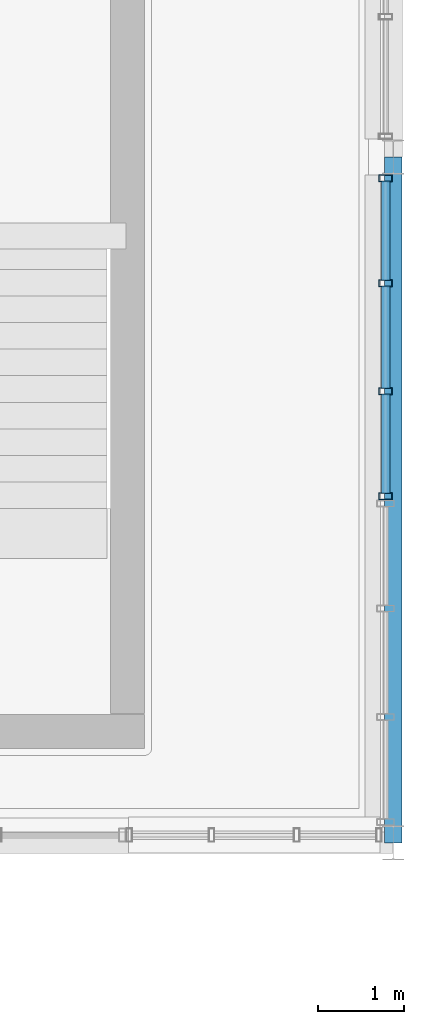
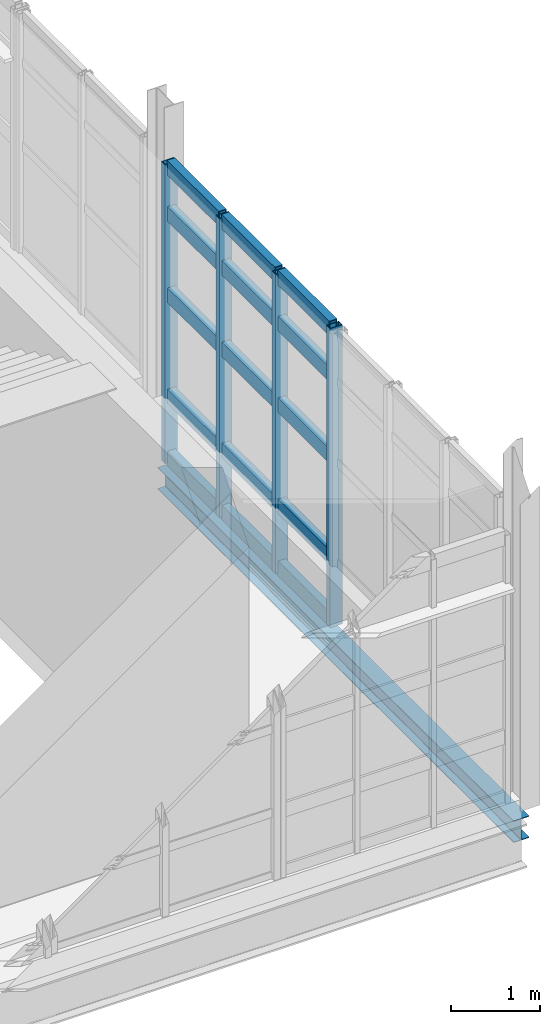
# One storey, part 51 of 100: 19 members, 1 beam, 1 element without a shape of its own.
"""IFC4 building model written with IfcOpenShell, lengths in metres."""

import ifcopenshell
import ifcopenshell.guid

model = None  # the IFC model being written
_history = None  # IfcOwnerHistory: only IFC2X3 demands one
_inside = {}  # id of a spatial element -> (the spatial element, [elements in it])
_under = {}  # id of a project, library or spatial element -> (it, [spatial elements below it])
_declared = {}  # id of a project -> (the project, [libraries it declares])
_typed = {}  # id of a type object -> (the type object, [elements of that type])
_made_of = {}  # id of a material, layer set ... -> (it, [elements and type objects made of it])


def new_model(schema):
    """Start an empty IFC model of exactly this schema.

    Asked for "IFC4X3", IfcOpenShell would pick the latest addendum, in which some entities
    have other attributes; the version numbers below select the first issue.
    IFC2X3 requires an IfcOwnerHistory on every rooted entity: one is made here for all.
    """
    global model, _history
    if schema == "IFC4X3":
        model = ifcopenshell.file(schema_version=(4, 3, 0, 0))
    else:
        model = ifcopenshell.file(schema=schema)
    _inside.clear()
    _under.clear()
    _declared.clear()
    _typed.clear()
    _made_of.clear()
    _history = None
    if model.schema == "IFC2X3":
        org = make("IfcOrganization", Name="unknown")
        user = make(
            "IfcPersonAndOrganization",
            ThePerson=make("IfcPerson", FamilyName="unknown"),
            TheOrganization=org,
        )
        app = make(
            "IfcApplication",
            ApplicationDeveloper=org,
            Version="unknown",
            ApplicationFullName="unknown",
            ApplicationIdentifier="unknown",
        )
        _history = make(
            "IfcOwnerHistory",
            OwningUser=user,
            OwningApplication=app,
            ChangeAction="ADDED",
            CreationDate=0,
        )
    return model


def make(cls, **values):
    """One entity of the class cls with the attributes given. An attribute that is None is left unset."""
    return model.create_entity(
        cls, **{name: value for name, value in values.items() if value is not None}
    )


def rooted(cls, **values):
    """An entity with a GlobalId (a new one), such as an element, a storey or a relation."""
    return make(cls, GlobalId=ifcopenshell.guid.new(), OwnerHistory=_history, **values)


def si_unit(unit_type, name, prefix=None):
    """IfcSIUnit, for example si_unit("LENGTHUNIT", "METRE", prefix="MILLI")."""
    return make("IfcSIUnit", UnitType=unit_type, Prefix=prefix, Name=name)


def derived_unit(unit_type, elements):
    """IfcDerivedUnit: a product of units, each with its exponent."""
    return make(
        "IfcDerivedUnit",
        Elements=[
            make("IfcDerivedUnitElement", Unit=unit, Exponent=power)
            for unit, power in elements
        ],
        UnitType=unit_type,
    )


def assignment(units):
    """IfcUnitAssignment: the units of a project."""
    return None if units is None else make("IfcUnitAssignment", Units=units)


def point(xyz):
    """IfcCartesianPoint."""
    return None if xyz is None else make("IfcCartesianPoint", Coordinates=xyz)


def direction(xyz):
    """IfcDirection."""
    return None if xyz is None else make("IfcDirection", DirectionRatios=xyz)


def frame(location, z_axis=None, x_axis=None):
    """IfcAxis2Placement3D, a coordinate frame: its origin and axes. An axis left out is left unset."""
    return make(
        "IfcAxis2Placement3D",
        Location=point(location),
        Axis=direction(z_axis),
        RefDirection=direction(x_axis),
    )


def frame_2d(location, x_axis=None):
    """IfcAxis2Placement2D, a coordinate frame in the plane: its origin and x axis."""
    return make(
        "IfcAxis2Placement2D", Location=point(location), RefDirection=direction(x_axis)
    )


def origin():
    """The frame at (0, 0, 0) with its axes left unset."""
    return frame((0.0, 0.0, 0.0))


def origin_2d():
    """The frame at (0, 0) in the plane with its x axis left unset."""
    return frame_2d((0.0, 0.0))


def place(relative_to, where):
    """IfcLocalPlacement: puts the frame where relative to a parent placement (None: the world)."""
    return make(
        "IfcLocalPlacement", PlacementRelTo=relative_to, RelativePlacement=where
    )


def context(
    kind, dimensions, precision=None, world=None, true_north=None, identifier=None
):
    """IfcGeometricRepresentationContext, for example the 3D "Model" context."""
    return make(
        "IfcGeometricRepresentationContext",
        ContextIdentifier=identifier,
        ContextType=kind,
        CoordinateSpaceDimension=dimensions,
        Precision=precision,
        WorldCoordinateSystem=world,
        TrueNorth=true_north,
    )


def subcontext(parent, identifier, kind, view, scale=None):
    """IfcGeometricRepresentationSubContext, for example "Body" below "Model"."""
    return make(
        "IfcGeometricRepresentationSubContext",
        ContextIdentifier=identifier,
        ContextType=kind,
        ParentContext=parent,
        TargetScale=scale,
        TargetView=view,
    )


def project(units=None, contexts=None):
    """IfcProject with its units and contexts."""
    return rooted(
        "IfcProject",
        Name="project",
        RepresentationContexts=contexts,
        UnitsInContext=assignment(units),
    )


def spatial(cls, under=None, at=None, **own):
    """A site, building, storey or space (cls), placed at a placement, below another one or the project."""
    s = rooted(cls, ObjectPlacement=at, **own)
    if under is not None:
        _under.setdefault(under.id(), (under, []))[1].append(s)
    return s


def profile(cls, at=None, kind="AREA", **sizes):
    """A parametric profile (cls). Its sizes go by their IFC names, for example OverallWidth=200.0."""
    return make(cls, ProfileType=kind, Position=at, **sizes)


def hollow_rectangle(**sizes):
    """IfcRectangleHollowProfileDef."""
    return profile("IfcRectangleHollowProfileDef", **sizes)


def i_section(**sizes):
    """IfcIShapeProfileDef."""
    return profile("IfcIShapeProfileDef", **sizes)


def extrude(swept, where, along, depth):
    """IfcExtrudedAreaSolid: the profile swept, set in the frame where, extruded along a direction by depth."""
    return make(
        "IfcExtrudedAreaSolid",
        SweptArea=swept,
        Position=where,
        ExtrudedDirection=direction(along),
        Depth=depth,
    )


def shape(context_of_items, identifier, shape_type, items):
    """IfcShapeRepresentation: the items that make up one representation, for example the "Body"."""
    return make(
        "IfcShapeRepresentation",
        ContextOfItems=context_of_items,
        RepresentationIdentifier=identifier,
        RepresentationType=shape_type,
        Items=items,
    )


def material(Name=None, Category=None):
    """IfcMaterial."""
    return make("IfcMaterial", Name=Name, Category=Category)


def layer(
    of_material, thickness, ventilated=None, Name=None, Category=None, Priority=None
):
    """IfcMaterialLayer: one layer of a wall or slab, of a material (None: an air gap)."""
    return make(
        "IfcMaterialLayer",
        Material=of_material,
        LayerThickness=thickness,
        IsVentilated=ventilated,
        Name=Name,
        Category=Category,
        Priority=Priority,
    )


def layer_set(layers, Name=None):
    """IfcMaterialLayerSet."""
    return make("IfcMaterialLayerSet", MaterialLayers=layers, LayerSetName=Name)


def material_profile(
    of_material, cross_section, Name=None, Category=None, Priority=None
):
    """IfcMaterialProfile: a cross section and its material."""
    return make(
        "IfcMaterialProfile",
        Name=Name,
        Material=of_material,
        Profile=cross_section,
        Priority=Priority,
        Category=Category,
    )


def profile_set(profiles, Name=None, composite=None):
    """IfcMaterialProfileSet."""
    return make(
        "IfcMaterialProfileSet",
        Name=Name,
        MaterialProfiles=profiles,
        CompositeProfile=composite,
    )


def made_of(thing, what):
    """Note that an element or type object is made of a material, layer set ...; save() writes the relation."""
    if what is not None:
        _made_of.setdefault(what.id(), (what, []))[1].append(thing)
    return thing


def type_object(cls, material=None, **own):
    """A type object (cls), such as IfcWallType, which elements share."""
    return made_of(rooted(cls, **own), material)


def element(
    cls,
    number,
    at=None,
    inside=None,
    cuts=None,
    type_object=None,
    material=None,
    context=None,
    identifier="Body",
    shape_type=None,
    held_by="IfcProductDefinitionShape",
    body=None,
    shapes=None,
    **own,
):
    """One element of the class cls, such as IfcWall. Its Tag is "e" and its number.

    at: its placement. inside: the storey or other place that contains it. cuts: it is an
    opening in that element (IfcRelVoidsElement). A single representation is given by context,
    identifier, shape_type and body (its items); several are given by shapes. held_by: the class
    of the entity that holds the representations. save() writes the other relations.
    """
    e = rooted(cls, Tag="e%d" % number, ObjectPlacement=at, **own)
    if body is not None:
        shapes = [shape(context, identifier, shape_type, body)]
    if shapes is not None:
        e.Representation = make(held_by, Representations=shapes)
    if inside is not None:
        _inside.setdefault(inside.id(), (inside, []))[1].append(e)
    if cuts is not None:
        rooted(
            "IfcRelVoidsElement", RelatingBuildingElement=cuts, RelatedOpeningElement=e
        )
    if type_object is not None:
        _typed.setdefault(type_object.id(), (type_object, []))[1].append(e)
    return made_of(e, material)


def aggregate(whole, parts):
    """IfcRelAggregates: a whole, such as a stair, and the parts it consists of."""
    return rooted("IfcRelAggregates", RelatingObject=whole, RelatedObjects=parts)


def save(model, path):
    """Write the relations noted so far, then the file.

    IfcRelAggregates (storeys below a building ...), IfcRelContainedInSpatialStructure (elements
    in a storey), IfcRelDefinesByType, IfcRelAssociatesMaterial and IfcRelDeclares: one each for
    every whole, place, type object, material and project.
    """
    for whole, parts in _under.values():
        aggregate(whole, parts)
    for where, things in _inside.values():
        rooted(
            "IfcRelContainedInSpatialStructure",
            RelatedElements=things,
            RelatingStructure=where,
        )
    for kind, things in _typed.values():
        rooted("IfcRelDefinesByType", RelatedObjects=things, RelatingType=kind)
    for what, things in _made_of.values():
        rooted("IfcRelAssociatesMaterial", RelatedObjects=things, RelatingMaterial=what)
    for by, libraries in _declared.values():
        rooted("IfcRelDeclares", RelatingContext=by, RelatedDefinitions=libraries)
    model.write(path)


model = new_model("IFC4")

# Units and contexts
model_context = context("Model", 3, precision=1e-05, world=origin(), true_north=direction((0.0, 1.0)))
body_context = subcontext(model_context, "Body", "Model", "MODEL_VIEW")
ifc_project = project(units=[si_unit("LENGTHUNIT", "METRE"), si_unit("AREAUNIT", "SQUARE_METRE"), si_unit("VOLUMEUNIT", "CUBIC_METRE"), si_unit("PLANEANGLEUNIT", "RADIAN"), si_unit("MASSUNIT", "GRAM", prefix="KILO"), derived_unit("THERMALTRANSMITTANCEUNIT", [(si_unit("POWERUNIT", "WATT"), 1), (si_unit("LENGTHUNIT", "METRE"), -2), (si_unit("THERMODYNAMICTEMPERATUREUNIT", "KELVIN"), -1)])], contexts=[model_context])

# Site, building, storey
site_placement = place(None, origin())
site = spatial("IfcSite", under=ifc_project, at=site_placement, CompositionType="ELEMENT")
building_placement = place(site_placement, origin())
building = spatial("IfcBuilding", under=site, at=building_placement, Name="Nallur Shell Playhouse", CompositionType="ELEMENT")
storey_placement = place(building_placement, frame((0.0, 0.0, 10.199951171875)))
storey = spatial("IfcBuildingStorey", under=building, at=storey_placement, Name="L03", CompositionType="ELEMENT", Elevation=10.199951171875)

# Beam
ifc_material_1 = material(Name="Steel E250", Category="steel")
ifc_material_profile_1 = material_profile(ifc_material_1, i_section(OverallWidth=0.199951171875, OverallDepth=0.300048828125, WebThickness=0.00732421875, FlangeThickness=0.010009765625, FilletRadius=0.010986328125, at=origin_2d()), Name="ISWB 300")
ifc_profile_set_1 = profile_set([ifc_material_profile_1], Name="Steel E250")
beam_type = type_object("IfcBeamType", Name="BM-ST-ISWB300", PredefinedType="BEAM", material=ifc_profile_set_1)
beam_placement = place(storey_placement, frame((159.800048828125, 24.0, -0.409912109375), z_axis=(0.0, 1.0, 0.0), x_axis=(-1.0, 0.0, 0.0)))
element("IfcBeam", 1, at=beam_placement, inside=storey, type_object=beam_type, Name="L03 girder Y-19-679", PredefinedType="BEAM", context=body_context, shape_type="SweptSolid", body=[
    extrude(i_section(OverallWidth=0.199951171875, OverallDepth=0.300048828125, WebThickness=0.00732421875, FlangeThickness=0.010009765625, FilletRadius=0.010986328125, at=origin_2d()), origin(), (0.0, 0.0, 1.0), 8.0),
])

# Curtain wall, members
ifc_material_2 = material(Name="Anodised Aluminium Double-Glazed Facade System", Category="aluminium")
ifc_layer = layer(ifc_material_2, 0.176025390625)
ifc_layer_set = layer_set([ifc_layer], Name="Anodised Aluminium Double-Glazed Facade System")
curtain_wall_type = type_object("IfcCurtainWallType", Name="CW-UNIT-22", PredefinedType="NOTDEFINED", material=ifc_layer_set)
curtain_wall_placement = place(storey_placement, origin())
curtain_wall = element("IfcCurtainWall", 2, at=curtain_wall_placement, inside=storey, type_object=curtain_wall_type, Name="Unitised curtain wall CW-086 (L03)", PredefinedType="NOTDEFINED")
ifc_material_3 = material(Name="Aluminium Alloy 6063-T6 Mullion", Category="aluminium")
ifc_material_profile_2 = material_profile(ifc_material_3, hollow_rectangle(XDim=0.080078125, YDim=0.159912109375, WallThickness=0.006103515625, at=origin_2d()), Name="RHS 160x80x6")
ifc_profile_set_2 = profile_set([ifc_material_profile_2], Name="Aluminium Alloy 6063-T6 Mullion")
member_type_1 = type_object("IfcMemberType", Name="MB-CW-MUL150", PredefinedType="MULLION", material=ifc_profile_set_2)
member_1_placement = place(storey_placement, frame((159.7099609375, 31.751953125, -0.014892578125), z_axis=(0.0, 0.0, 1.0), x_axis=(0.0, -1.0, 0.0)))
member_1 = element("IfcMember", 3, at=member_1_placement, type_object=member_type_1, Name="CW-22 mullion 1", PredefinedType="MULLION", context=body_context, shape_type="SweptSolid", body=[
    extrude(hollow_rectangle(XDim=0.080078125, YDim=0.159912109375, WallThickness=0.006103515625, at=origin_2d()), origin(), (0.0, 0.0, 1.0), 4.10400390625),
])
member_2_placement = place(storey_placement, frame((159.7099609375, 30.52978515625, -0.014892578125), z_axis=(0.0, 0.0, 1.0), x_axis=(0.0, -1.0, 0.0)))
member_2 = element("IfcMember", 4, at=member_2_placement, type_object=member_type_1, Name="CW-22 mullion 2", PredefinedType="MULLION", context=body_context, shape_type="SweptSolid", body=[
    extrude(hollow_rectangle(XDim=0.080078125, YDim=0.159912109375, WallThickness=0.006103515625, at=origin_2d()), origin(), (0.0, 0.0, 1.0), 4.10400390625),
])
member_3_placement = place(storey_placement, frame((159.7099609375, 29.267333984375, -0.014892578125), z_axis=(0.0, 0.0, 1.0), x_axis=(0.0, -1.0, 0.0)))
member_3 = element("IfcMember", 5, at=member_3_placement, type_object=member_type_1, Name="CW-22 mullion 3", PredefinedType="MULLION", context=body_context, shape_type="SweptSolid", body=[
    extrude(hollow_rectangle(XDim=0.080078125, YDim=0.159912109375, WallThickness=0.006103515625, at=origin_2d()), origin(), (0.0, 0.0, 1.0), 4.10400390625),
])
member_4_placement = place(storey_placement, frame((159.7099609375, 28.044921875, -0.014892578125), z_axis=(0.0, 0.0, 1.0), x_axis=(0.0, -1.0, 0.0)))
member_4 = element("IfcMember", 6, at=member_4_placement, type_object=member_type_1, Name="CW-22 mullion 4", PredefinedType="MULLION", context=body_context, shape_type="SweptSolid", body=[
    extrude(hollow_rectangle(XDim=0.080078125, YDim=0.159912109375, WallThickness=0.006103515625, at=origin_2d()), origin(), (0.0, 0.0, 1.0), 4.10400390625),
])
ifc_material_4 = material(Name="Aluminium Alloy 6063-T6 Transom", Category="aluminium")
ifc_material_profile_3 = material_profile(ifc_material_4, hollow_rectangle(XDim=0.10009765625, YDim=0.199951171875, WallThickness=0.008056640625, at=origin_2d()), Name="RHS 200x100x8")
ifc_profile_set_3 = profile_set([ifc_material_profile_3], Name="Aluminium Alloy 6063-T6 Transom")
member_type_2 = type_object("IfcMemberType", Name="MB-CW-TRN140", PredefinedType="USERDEFINED", material=ifc_profile_set_3)
member_5_placement = place(storey_placement, frame((159.7099609375, 31.719970703125, 0.050048828125), z_axis=(0.0, -1.0, 0.0), x_axis=(1.0, 0.0, 0.0)))
member_5 = element("IfcMember", 7, at=member_5_placement, type_object=member_type_2, Name="CW-22 transom 1.1", ObjectType="TRANSOM", PredefinedType="USERDEFINED", context=body_context, shape_type="SweptSolid", body=[
    extrude(hollow_rectangle(XDim=0.10009765625, YDim=0.199951171875, WallThickness=0.008056640625, at=origin_2d()), origin(), (0.0, 0.0, 1.0), 1.158203125),
])
member_6_placement = place(storey_placement, frame((159.7099609375, 31.719970703125, 0.900146484375), z_axis=(0.0, -1.0, 0.0), x_axis=(1.0, 0.0, 0.0)))
member_6 = element("IfcMember", 8, at=member_6_placement, type_object=member_type_2, Name="CW-22 transom 1.2", ObjectType="TRANSOM", PredefinedType="USERDEFINED", context=body_context, shape_type="SweptSolid", body=[
    extrude(hollow_rectangle(XDim=0.10009765625, YDim=0.199951171875, WallThickness=0.008056640625, at=origin_2d()), origin(), (0.0, 0.0, 1.0), 1.158203125),
])
member_7_placement = place(storey_placement, frame((159.7099609375, 31.719970703125, 2.2880859375), z_axis=(0.0, -1.0, 0.0), x_axis=(1.0, 0.0, 0.0)))
member_7 = element("IfcMember", 9, at=member_7_placement, type_object=member_type_2, Name="CW-22 transom 1.3", ObjectType="TRANSOM", PredefinedType="USERDEFINED", context=body_context, shape_type="SweptSolid", body=[
    extrude(hollow_rectangle(XDim=0.10009765625, YDim=0.199951171875, WallThickness=0.008056640625, at=origin_2d()), origin(), (0.0, 0.0, 1.0), 1.158203125),
])
member_8_placement = place(storey_placement, frame((159.7099609375, 31.719970703125, 3.405029296875), z_axis=(0.0, -1.0, 0.0), x_axis=(1.0, 0.0, 0.0)))
member_8 = element("IfcMember", 10, at=member_8_placement, type_object=member_type_2, Name="CW-22 transom 1.4", ObjectType="TRANSOM", PredefinedType="USERDEFINED", context=body_context, shape_type="SweptSolid", body=[
    extrude(hollow_rectangle(XDim=0.10009765625, YDim=0.199951171875, WallThickness=0.008056640625, at=origin_2d()), origin(), (0.0, 0.0, 1.0), 1.158203125),
])
member_9_placement = place(storey_placement, frame((159.7099609375, 31.719970703125, 4.03515625), z_axis=(0.0, -1.0, 0.0), x_axis=(1.0, 0.0, 0.0)))
member_9 = element("IfcMember", 11, at=member_9_placement, type_object=member_type_2, Name="CW-22 transom 1.5", ObjectType="TRANSOM", PredefinedType="USERDEFINED", context=body_context, shape_type="SweptSolid", body=[
    extrude(hollow_rectangle(XDim=0.10009765625, YDim=0.199951171875, WallThickness=0.008056640625, at=origin_2d()), origin(), (0.0, 0.0, 1.0), 1.158203125),
])
member_10_placement = place(storey_placement, frame((159.7099609375, 30.49755859375, 0.050048828125), z_axis=(0.0, -1.0, 0.0), x_axis=(1.0, 0.0, 0.0)))
member_10 = element("IfcMember", 12, at=member_10_placement, type_object=member_type_2, Name="CW-22 transom 2.1", ObjectType="TRANSOM", PredefinedType="USERDEFINED", context=body_context, shape_type="SweptSolid", body=[
    extrude(hollow_rectangle(XDim=0.10009765625, YDim=0.199951171875, WallThickness=0.008056640625, at=origin_2d()), origin(), (0.0, 0.0, 1.0), 1.1982421875),
])
member_11_placement = place(storey_placement, frame((159.7099609375, 30.49755859375, 0.900146484375), z_axis=(0.0, -1.0, 0.0), x_axis=(1.0, 0.0, 0.0)))
member_11 = element("IfcMember", 13, at=member_11_placement, type_object=member_type_2, Name="CW-22 transom 2.2", ObjectType="TRANSOM", PredefinedType="USERDEFINED", context=body_context, shape_type="SweptSolid", body=[
    extrude(hollow_rectangle(XDim=0.10009765625, YDim=0.199951171875, WallThickness=0.008056640625, at=origin_2d()), origin(), (0.0, 0.0, 1.0), 1.1982421875),
])
member_12_placement = place(storey_placement, frame((159.7099609375, 30.49755859375, 2.2880859375), z_axis=(0.0, -1.0, 0.0), x_axis=(1.0, 0.0, 0.0)))
member_12 = element("IfcMember", 14, at=member_12_placement, type_object=member_type_2, Name="CW-22 transom 2.3", ObjectType="TRANSOM", PredefinedType="USERDEFINED", context=body_context, shape_type="SweptSolid", body=[
    extrude(hollow_rectangle(XDim=0.10009765625, YDim=0.199951171875, WallThickness=0.008056640625, at=origin_2d()), origin(), (0.0, 0.0, 1.0), 1.1982421875),
])
member_13_placement = place(storey_placement, frame((159.7099609375, 30.49755859375, 3.405029296875), z_axis=(0.0, -1.0, 0.0), x_axis=(1.0, 0.0, 0.0)))
member_13 = element("IfcMember", 15, at=member_13_placement, type_object=member_type_2, Name="CW-22 transom 2.4", ObjectType="TRANSOM", PredefinedType="USERDEFINED", context=body_context, shape_type="SweptSolid", body=[
    extrude(hollow_rectangle(XDim=0.10009765625, YDim=0.199951171875, WallThickness=0.008056640625, at=origin_2d()), origin(), (0.0, 0.0, 1.0), 1.1982421875),
])
member_14_placement = place(storey_placement, frame((159.7099609375, 30.49755859375, 4.03515625), z_axis=(0.0, -1.0, 0.0), x_axis=(1.0, 0.0, 0.0)))
member_14 = element("IfcMember", 16, at=member_14_placement, type_object=member_type_2, Name="CW-22 transom 2.5", ObjectType="TRANSOM", PredefinedType="USERDEFINED", context=body_context, shape_type="SweptSolid", body=[
    extrude(hollow_rectangle(XDim=0.10009765625, YDim=0.199951171875, WallThickness=0.008056640625, at=origin_2d()), origin(), (0.0, 0.0, 1.0), 1.1982421875),
])
member_15_placement = place(storey_placement, frame((159.7099609375, 29.2353515625, 0.050048828125), z_axis=(0.0, -1.0, 0.0), x_axis=(1.0, 0.0, 0.0)))
member_15 = element("IfcMember", 17, at=member_15_placement, type_object=member_type_2, Name="CW-22 transom 3.1", ObjectType="TRANSOM", PredefinedType="USERDEFINED", context=body_context, shape_type="SweptSolid", body=[
    extrude(hollow_rectangle(XDim=0.10009765625, YDim=0.199951171875, WallThickness=0.008056640625, at=origin_2d()), origin(), (0.0, 0.0, 1.0), 1.158447265625),
])
member_16_placement = place(storey_placement, frame((159.7099609375, 29.2353515625, 0.900146484375), z_axis=(0.0, -1.0, 0.0), x_axis=(1.0, 0.0, 0.0)))
member_16 = element("IfcMember", 18, at=member_16_placement, type_object=member_type_2, Name="CW-22 transom 3.2", ObjectType="TRANSOM", PredefinedType="USERDEFINED", context=body_context, shape_type="SweptSolid", body=[
    extrude(hollow_rectangle(XDim=0.10009765625, YDim=0.199951171875, WallThickness=0.008056640625, at=origin_2d()), origin(), (0.0, 0.0, 1.0), 1.158447265625),
])
member_17_placement = place(storey_placement, frame((159.7099609375, 29.2353515625, 2.2880859375), z_axis=(0.0, -1.0, 0.0), x_axis=(1.0, 0.0, 0.0)))
member_17 = element("IfcMember", 19, at=member_17_placement, type_object=member_type_2, Name="CW-22 transom 3.3", ObjectType="TRANSOM", PredefinedType="USERDEFINED", context=body_context, shape_type="SweptSolid", body=[
    extrude(hollow_rectangle(XDim=0.10009765625, YDim=0.199951171875, WallThickness=0.008056640625, at=origin_2d()), origin(), (0.0, 0.0, 1.0), 1.158447265625),
])
member_18_placement = place(storey_placement, frame((159.7099609375, 29.2353515625, 3.405029296875), z_axis=(0.0, -1.0, 0.0), x_axis=(1.0, 0.0, 0.0)))
member_18 = element("IfcMember", 20, at=member_18_placement, type_object=member_type_2, Name="CW-22 transom 3.4", ObjectType="TRANSOM", PredefinedType="USERDEFINED", context=body_context, shape_type="SweptSolid", body=[
    extrude(hollow_rectangle(XDim=0.10009765625, YDim=0.199951171875, WallThickness=0.008056640625, at=origin_2d()), origin(), (0.0, 0.0, 1.0), 1.158447265625),
])
member_19_placement = place(storey_placement, frame((159.7099609375, 29.2353515625, 4.03515625), z_axis=(0.0, -1.0, 0.0), x_axis=(1.0, 0.0, 0.0)))
member_19 = element("IfcMember", 21, at=member_19_placement, type_object=member_type_2, Name="CW-22 transom 3.5", ObjectType="TRANSOM", PredefinedType="USERDEFINED", context=body_context, shape_type="SweptSolid", body=[
    extrude(hollow_rectangle(XDim=0.10009765625, YDim=0.199951171875, WallThickness=0.008056640625, at=origin_2d()), origin(), (0.0, 0.0, 1.0), 1.158447265625),
])
aggregate(curtain_wall, [member_1, member_2, member_3, member_4, member_5, member_6, member_7, member_8, member_9, member_10, member_11, member_12, member_13, member_14, member_15, member_16, member_17, member_18, member_19])

save(model, "model.ifc")
